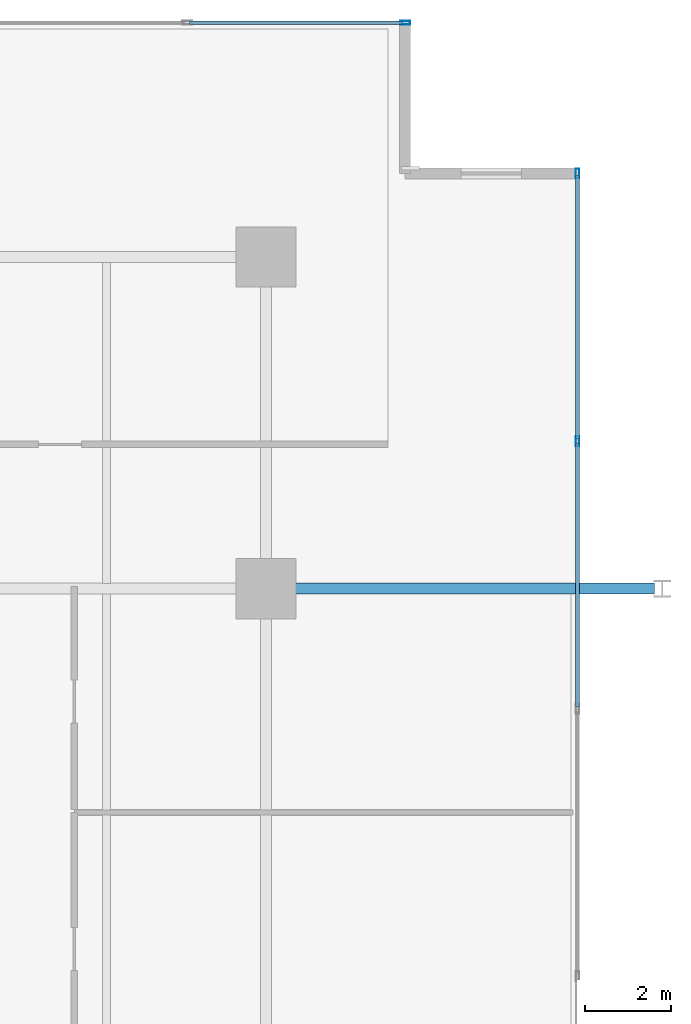
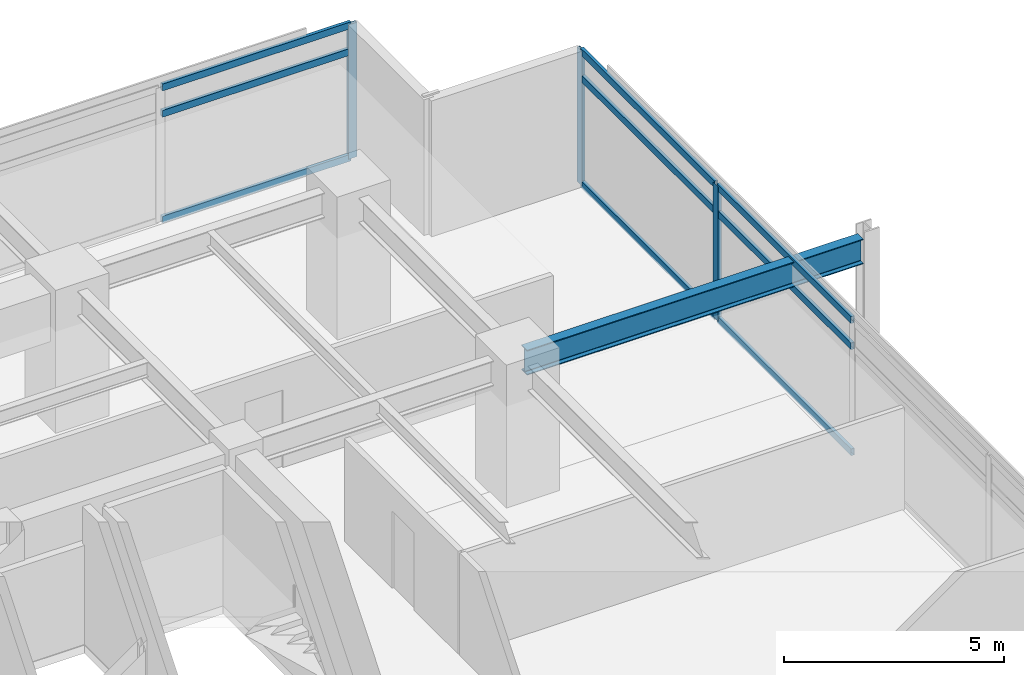
# One storey, part 12 of 23: 12 members, 1 beam, 2 elements without a shape of their own.
"""IFC4 building model written with IfcOpenShell, lengths in metres."""

from ifc_helpers import new_model, si_unit, direction, frame, origin, origin_2d, place, context, subcontext, project, spatial, hollow_rectangle, i_section, extrude, material, material_profile, profile_set, type_object, element, aggregate, save


model = new_model("IFC4")

# Units and contexts
model_context = context("Model", 3, precision=1e-05, world=origin(), true_north=direction((0.0, 1.0)))
body_context = subcontext(model_context, "Body", "Model", "MODEL_VIEW")
ifc_project = project(units=[si_unit("LENGTHUNIT", "METRE"), si_unit("AREAUNIT", "SQUARE_METRE"), si_unit("VOLUMEUNIT", "CUBIC_METRE"), si_unit("PLANEANGLEUNIT", "RADIAN"), si_unit("MASSUNIT", "GRAM", prefix="KILO")], contexts=[model_context])

# Site, building, storey
site_placement = place(None, origin())
site = spatial("IfcSite", under=ifc_project, at=site_placement, CompositionType="ELEMENT")
building_placement = place(site_placement, origin())
building = spatial("IfcBuilding", under=site, at=building_placement, Name="Kovane Verandah Tower", CompositionType="ELEMENT")
storey_placement = place(building_placement, frame((0.0, 0.0, 221.199951171875)))
storey = spatial("IfcBuildingStorey", under=building, at=storey_placement, Name="L51", CompositionType="ELEMENT", Elevation=221.199951171875)

# Beam
ifc_material_1 = material(Name="Steel S355", Category="steel")
ifc_material_profile_1 = material_profile(ifc_material_1, i_section(OverallWidth=0.255859375, OverallDepth=0.69287109375, WebThickness=0.014404296875, FlangeThickness=0.023681640625, FilletRadius=0.01513671875, at=origin_2d()), Name="UB686x254x170")
ifc_profile_set_1 = profile_set([ifc_material_profile_1], Name="Steel S355")
beam_type = type_object("IfcBeamType", Name="BM-UB686x170", PredefinedType="BEAM", material=ifc_profile_set_1)
beam_placement = place(storey_placement, frame((58.580078125, 36.5, 3.41357421875), z_axis=(1.0, 0.0, 0.0), x_axis=(0.0, 1.0, 0.0)))
element("IfcBeam", 1, at=beam_placement, inside=storey, type_object=beam_type, Name="L51 Primary Tower Girder G-VE2", PredefinedType="BEAM", context=body_context, shape_type="SweptSolid", body=[
    extrude(i_section(OverallWidth=0.255859375, OverallDepth=0.69287109375, WebThickness=0.014404296875, FlangeThickness=0.023681640625, FilletRadius=0.01513671875, at=origin_2d()), origin(), (0.0, 0.0, 1.0), 8.83984375),
])

# Curtain wall, members
ifc_material_2 = material(Name="Champagne Anodised Aluminium Frame with Low-E Clear Laminated Glass", Category="aluminium")
curtain_wall_type = type_object("IfcCurtainWallType", Name="CW-SYS-03-MID", PredefinedType="NOTDEFINED", material=ifc_material_2)
curtain_wall_1_placement = place(storey_placement, origin())
curtain_wall_1 = element("IfcCurtainWall", 2, at=curtain_wall_1_placement, inside=storey, type_object=curtain_wall_type, Name="L51 E Unitised Curtain Wall", PredefinedType="NOTDEFINED")
ifc_material_3 = material(Name="Champagne Anodised Aluminium 6063-T6", Category="aluminium")
ifc_material_profile_2 = material_profile(ifc_material_3, hollow_rectangle(XDim=0.0849609375, YDim=0.22998046875, WallThickness=0.00390625, at=origin_2d()), Name="AL85x230x4")
ifc_profile_set_2 = profile_set([ifc_material_profile_2], Name="Champagne Anodised Aluminium 6063-T6")
member_type_1 = type_object("IfcMemberType", Name="CW-MUL-85x230", PredefinedType="MULLION", material=ifc_profile_set_2)
member_1_placement = place(storey_placement, frame((65.63134765625, 39.927001953125, 0.02001953125), z_axis=(0.0, 0.0, 1.0), x_axis=(1.0, 0.0, 0.0)))
member_1 = element("IfcMember", 3, at=member_1_placement, type_object=member_type_1, Name="L51 E Unitised Curtain Wall Mullion 6", PredefinedType="MULLION", context=body_context, shape_type="SweptSolid", body=[
    extrude(hollow_rectangle(XDim=0.0849609375, YDim=0.22998046875, WallThickness=0.00390625, at=origin_2d()), origin(), (0.0, 0.0, 1.0), 3.735107421875),
])
member_2_placement = place(storey_placement, frame((65.63134765625, 46.140380859375, 0.02001953125), z_axis=(0.0, 0.0, 1.0), x_axis=(1.0, 0.0, 0.0)))
member_2 = element("IfcMember", 4, at=member_2_placement, type_object=member_type_1, Name="L51 E Unitised Curtain Wall Mullion 7", PredefinedType="MULLION", context=body_context, shape_type="SweptSolid", body=[
    extrude(hollow_rectangle(XDim=0.0849609375, YDim=0.22998046875, WallThickness=0.00390625, at=origin_2d()), origin(), (0.0, 0.0, 1.0), 3.735107421875),
])

# Curtain wall, member
curtain_wall_2_placement = place(storey_placement, origin())
curtain_wall_2 = element("IfcCurtainWall", 5, at=curtain_wall_2_placement, inside=storey, type_object=curtain_wall_type, Name="L51 N Unitised Curtain Wall-1", PredefinedType="NOTDEFINED")
member_3_placement = place(storey_placement, frame((61.63134765625, 49.640380859375, 0.02001953125), z_axis=(0.0, 0.0, 1.0), x_axis=(0.0, 1.0, 0.0)))
member_3 = element("IfcMember", 6, at=member_3_placement, type_object=member_type_1, Name="L51 N Unitised Curtain Wall-1 Mullion 1", PredefinedType="MULLION", context=body_context, shape_type="SweptSolid", body=[
    extrude(hollow_rectangle(XDim=0.0849609375, YDim=0.22998046875, WallThickness=0.00390625, at=origin_2d()), origin(), (0.0, 0.0, 1.0), 3.735107421875),
])

# Member
ifc_material_profile_3 = material_profile(ifc_material_3, hollow_rectangle(XDim=0.0849609375, YDim=0.18994140625, WallThickness=0.00390625, at=origin_2d()), Name="AL85x190x4")
ifc_profile_set_3 = profile_set([ifc_material_profile_3], Name="Champagne Anodised Aluminium 6063-T6")
member_type_2 = type_object("IfcMemberType", Name="CW-TRN-85x190", PredefinedType="USERDEFINED", material=ifc_profile_set_3)
member_4_placement = place(storey_placement, frame((65.63134765625, 33.763427734375, 0.050048828125), z_axis=(0.0, 1.0, 0.0), x_axis=(-1.0, 0.0, 0.0)))
member_4 = element("IfcMember", 7, at=member_4_placement, type_object=member_type_2, Name="L51 E Unitised Curtain Wall Transom TB Bay 5", ObjectType="TRANSOM", PredefinedType="USERDEFINED", context=body_context, shape_type="SweptSolid", body=[
    extrude(hollow_rectangle(XDim=0.0849609375, YDim=0.18994140625, WallThickness=0.00390625, at=origin_2d()), origin(), (0.0, 0.0, 1.0), 6.113525390625),
])

member_5_placement = place(storey_placement, frame((65.63134765625, 33.763427734375, 2.9951171875), z_axis=(0.0, 1.0, 0.0), x_axis=(-1.0, 0.0, 0.0)))
member_5 = element("IfcMember", 8, at=member_5_placement, type_object=member_type_2, Name="L51 E Unitised Curtain Wall Transom TM Bay 5", ObjectType="TRANSOM", PredefinedType="USERDEFINED", context=body_context, shape_type="SweptSolid", body=[
    extrude(hollow_rectangle(XDim=0.0849609375, YDim=0.18994140625, WallThickness=0.00390625, at=origin_2d()), origin(), (0.0, 0.0, 1.0), 6.113525390625),
])

member_6_placement = place(storey_placement, frame((65.63134765625, 33.763427734375, 3.72509765625), z_axis=(0.0, 1.0, 0.0), x_axis=(-1.0, 0.0, 0.0)))
member_6 = element("IfcMember", 9, at=member_6_placement, type_object=member_type_2, Name="L51 E Unitised Curtain Wall Transom TT Bay 5", ObjectType="TRANSOM", PredefinedType="USERDEFINED", context=body_context, shape_type="SweptSolid", body=[
    extrude(hollow_rectangle(XDim=0.0849609375, YDim=0.18994140625, WallThickness=0.00390625, at=origin_2d()), origin(), (0.0, 0.0, 1.0), 6.113525390625),
])

member_7_placement = place(storey_placement, frame((65.63134765625, 39.976806640625, 0.050048828125), z_axis=(0.0, 1.0, 0.0), x_axis=(-1.0, 0.0, 0.0)))
member_7 = element("IfcMember", 10, at=member_7_placement, type_object=member_type_2, Name="L51 E Unitised Curtain Wall Transom TB Bay 6", ObjectType="TRANSOM", PredefinedType="USERDEFINED", context=body_context, shape_type="SweptSolid", body=[
    extrude(hollow_rectangle(XDim=0.0849609375, YDim=0.18994140625, WallThickness=0.00390625, at=origin_2d()), origin(), (0.0, 0.0, 1.0), 6.113525390625),
])

member_8_placement = place(storey_placement, frame((65.63134765625, 39.976806640625, 2.9951171875), z_axis=(0.0, 1.0, 0.0), x_axis=(-1.0, 0.0, 0.0)))
member_8 = element("IfcMember", 11, at=member_8_placement, type_object=member_type_2, Name="L51 E Unitised Curtain Wall Transom TM Bay 6", ObjectType="TRANSOM", PredefinedType="USERDEFINED", context=body_context, shape_type="SweptSolid", body=[
    extrude(hollow_rectangle(XDim=0.0849609375, YDim=0.18994140625, WallThickness=0.00390625, at=origin_2d()), origin(), (0.0, 0.0, 1.0), 6.113525390625),
])

member_9_placement = place(storey_placement, frame((65.63134765625, 39.976806640625, 3.72509765625), z_axis=(0.0, 1.0, 0.0), x_axis=(-1.0, 0.0, 0.0)))
member_9 = element("IfcMember", 12, at=member_9_placement, type_object=member_type_2, Name="L51 E Unitised Curtain Wall Transom TT Bay 6", ObjectType="TRANSOM", PredefinedType="USERDEFINED", context=body_context, shape_type="SweptSolid", body=[
    extrude(hollow_rectangle(XDim=0.0849609375, YDim=0.18994140625, WallThickness=0.00390625, at=origin_2d()), origin(), (0.0, 0.0, 1.0), 6.113525390625),
])

aggregate(curtain_wall_1, [member_1, member_2, member_4, member_5, member_6, member_7, member_8, member_9])

member_10_placement = place(storey_placement, frame((61.581298828125, 49.640380859375, 0.050048828125), z_axis=(-1.0, 0.0, 0.0), x_axis=(0.0, -1.0, 0.0)))
member_10 = element("IfcMember", 13, at=member_10_placement, type_object=member_type_2, Name="L51 N Unitised Curtain Wall-1 Transom TB Bay 1", ObjectType="TRANSOM", PredefinedType="USERDEFINED", context=body_context, shape_type="SweptSolid", body=[
    extrude(hollow_rectangle(XDim=0.0849609375, YDim=0.18994140625, WallThickness=0.00390625, at=origin_2d()), origin(), (0.0, 0.0, 1.0), 4.95556640625),
])

member_11_placement = place(storey_placement, frame((61.581298828125, 49.640380859375, 2.9951171875), z_axis=(-1.0, 0.0, 0.0), x_axis=(0.0, -1.0, 0.0)))
member_11 = element("IfcMember", 14, at=member_11_placement, type_object=member_type_2, Name="L51 N Unitised Curtain Wall-1 Transom TM Bay 1", ObjectType="TRANSOM", PredefinedType="USERDEFINED", context=body_context, shape_type="SweptSolid", body=[
    extrude(hollow_rectangle(XDim=0.0849609375, YDim=0.18994140625, WallThickness=0.00390625, at=origin_2d()), origin(), (0.0, 0.0, 1.0), 4.95556640625),
])

member_12_placement = place(storey_placement, frame((61.581298828125, 49.640380859375, 3.72509765625), z_axis=(-1.0, 0.0, 0.0), x_axis=(0.0, -1.0, 0.0)))
member_12 = element("IfcMember", 15, at=member_12_placement, type_object=member_type_2, Name="L51 N Unitised Curtain Wall-1 Transom TT Bay 1", ObjectType="TRANSOM", PredefinedType="USERDEFINED", context=body_context, shape_type="SweptSolid", body=[
    extrude(hollow_rectangle(XDim=0.0849609375, YDim=0.18994140625, WallThickness=0.00390625, at=origin_2d()), origin(), (0.0, 0.0, 1.0), 4.95556640625),
])

aggregate(curtain_wall_2, [member_3, member_10, member_11, member_12])

save(model, "model.ifc")
